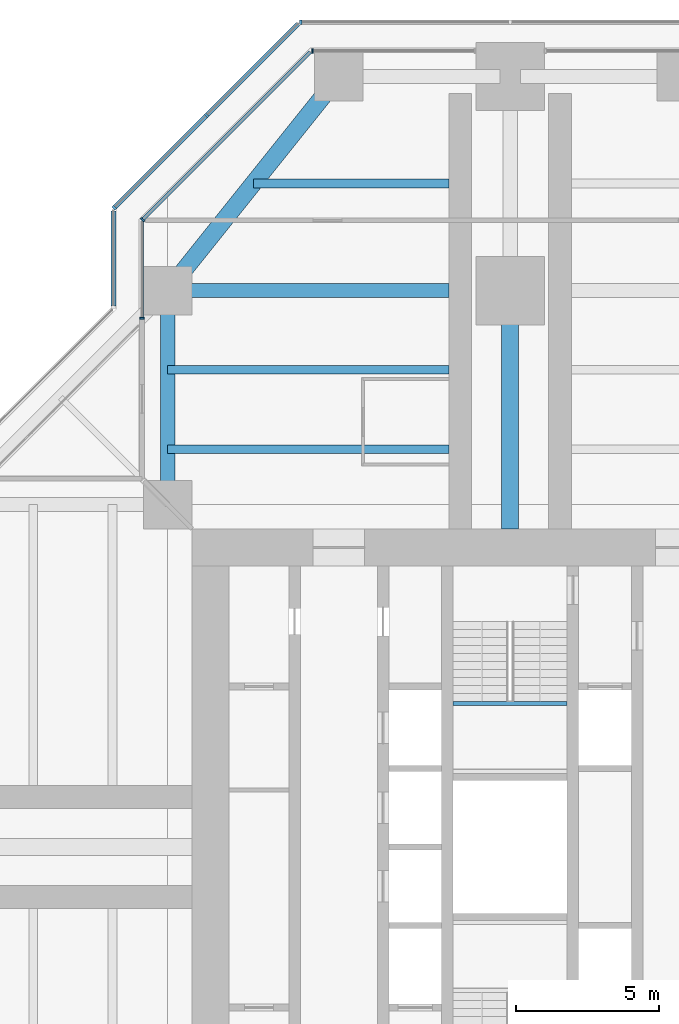
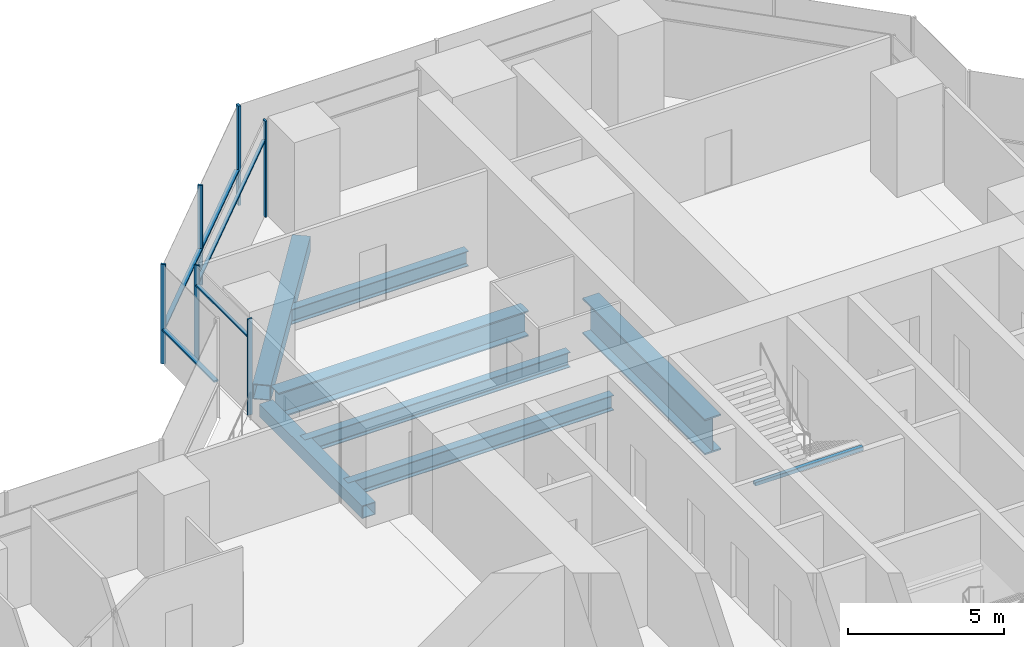
# One storey, part 8 of 19: 11 members, 8 beams, 6 elements without a shape of their own.
"""IFC4 building model written with IfcOpenShell, lengths in metres."""

from ifc_helpers import new_model, si_unit, direction, frame, origin, origin_2d, place, context, subcontext, project, spatial, rectangle, hollow_rectangle, i_section, extrude, material, material_profile, profile_set, type_object, element, aggregate, save


model = new_model("IFC4")

# Units and contexts
model_context = context("Model", 3, precision=1e-05, world=origin(), true_north=direction((0.0, 1.0)))
body_context = subcontext(model_context, "Body", "Model", "MODEL_VIEW")
ifc_project = project(units=[si_unit("LENGTHUNIT", "METRE"), si_unit("AREAUNIT", "SQUARE_METRE"), si_unit("VOLUMEUNIT", "CUBIC_METRE"), si_unit("PLANEANGLEUNIT", "RADIAN"), si_unit("MASSUNIT", "GRAM", prefix="KILO")], contexts=[model_context])

# Site, building, storey
site_placement = place(None, origin())
site = spatial("IfcSite", under=ifc_project, at=site_placement, CompositionType="ELEMENT")
building_placement = place(site_placement, origin())
building = spatial("IfcBuilding", under=site, at=building_placement, Name="Mizan Broadcast Tower", CompositionType="ELEMENT")
storey_placement = place(building_placement, frame((0.0, 0.0, 159.300048828125)))
storey = spatial("IfcBuildingStorey", under=building, at=storey_placement, Name="L36", CompositionType="ELEMENT", Elevation=159.300048828125)

# Beams
ifc_material_1 = material(Name="Steel S355", Category="steel")
ifc_material_profile_1 = material_profile(ifc_material_1, hollow_rectangle(XDim=0.5, YDim=0.5, WallThickness=0.030029296875, at=origin_2d()), Name="BOX 500x500x30")
ifc_profile_set_1 = profile_set([ifc_material_profile_1], Name="Steel S355")
beam_type_1 = type_object("IfcBeamType", Name="EDGE BEAM BOX 500x500x30", PredefinedType="SPANDREL", material=ifc_profile_set_1)
beam_1_placement = place(storey_placement, frame((-12.0, 12.449951171875, -0.380126953125), z_axis=(0.0, 1.0, 0.0), x_axis=(-1.0, 0.0, 0.0)))
element("IfcBeam", 1, at=beam_1_placement, inside=storey, type_object=beam_type_1, Name="Edge beam BOX 500x500x30 L36 north arm", PredefinedType="SPANDREL", context=body_context, shape_type="SweptSolid", body=[
    extrude(hollow_rectangle(XDim=0.5, YDim=0.5, WallThickness=0.030029296875, at=origin_2d()), origin(), (0.0, 0.0, 1.0), 6.60009765625),
])
ifc_material_2 = material(Name="Steel S355", Category="steel")
ifc_material_profile_2 = material_profile(ifc_material_2, hollow_rectangle(XDim=0.60009765625, YDim=0.60009765625, WallThickness=0.030029296875, at=origin_2d()), Name="BOX 600x600x30")
ifc_profile_set_2 = profile_set([ifc_material_profile_2], Name="Steel S355")
beam_type_2 = type_object("IfcBeamType", Name="EDGE BEAM BOX 600x600x30", PredefinedType="SPANDREL", material=ifc_profile_set_2)
beam_2_placement = place(storey_placement, frame((-11.639892578125, 19.949951171875, -0.429931640625), z_axis=(0.624673911726, 0.780885717636, 0.0), x_axis=(-0.780885717636, 0.624673911726, 0.0)))
element("IfcBeam", 2, at=beam_2_placement, inside=storey, type_object=beam_type_2, Name="Edge beam BOX 600x600x30 L36 north arm", PredefinedType="SPANDREL", context=body_context, shape_type="SweptSolid", body=[
    extrude(hollow_rectangle(XDim=0.60009765625, YDim=0.60009765625, WallThickness=0.030029296875, at=origin_2d()), origin(), (0.0, 0.0, 1.0), 8.4521484375),
])
ifc_material_3 = material(Name="Steel S460", Category="steel")
ifc_material_profile_3 = material_profile(ifc_material_3, i_section(OverallWidth=0.5, OverallDepth=1.0, WebThickness=0.02490234375, FlangeThickness=0.050048828125, at=origin_2d()), Name="WPG 1000x500")
ifc_profile_set_3 = profile_set([ifc_material_profile_3], Name="Steel S460")
beam_type_3 = type_object("IfcBeamType", Name="GIRDER WPG 1000x500", PredefinedType="BEAM", material=ifc_profile_set_3)
beam_3_placement = place(storey_placement, frame((-11.408935546875, 19.5, -0.630126953125), z_axis=(1.0, 0.0, 0.0), x_axis=(0.0, 1.0, 0.0)))
element("IfcBeam", 3, at=beam_3_placement, inside=storey, type_object=beam_type_3, Name="Girder WPG 1000x500 L36 north arm", PredefinedType="BEAM", context=body_context, shape_type="SweptSolid", body=[
    extrude(i_section(OverallWidth=0.5, OverallDepth=1.0, WebThickness=0.02490234375, FlangeThickness=0.050048828125, at=origin_2d()), origin(), (0.0, 0.0, 1.0), 9.259033203125),
])
ifc_material_4 = material(Name="Steel S460", Category="steel")
ifc_material_profile_4 = material_profile(ifc_material_4, i_section(OverallWidth=0.60009765625, OverallDepth=1.39990234375, WebThickness=0.02490234375, FlangeThickness=0.06005859375, at=origin_2d()), Name="WPG 1400x600")
ifc_profile_set_4 = profile_set([ifc_material_profile_4], Name="Steel S460")
beam_type_4 = type_object("IfcBeamType", Name="GIRDER WPG 1400x600", PredefinedType="BEAM", material=ifc_profile_set_4)
beam_4_placement = place(storey_placement, frame((0.0, 11.14990234375, -0.830078125), z_axis=(0.0, 1.0, 0.0), x_axis=(-1.0, 0.0, 0.0)))
element("IfcBeam", 4, at=beam_4_placement, inside=storey, type_object=beam_type_4, Name="Girder WPG 1400x600 L36 north arm", PredefinedType="BEAM", context=body_context, shape_type="SweptSolid", body=[
    extrude(i_section(OverallWidth=0.60009765625, OverallDepth=1.39990234375, WebThickness=0.02490234375, FlangeThickness=0.06005859375, at=origin_2d()), origin(), (0.0, 0.0, 1.0), 7.84912109375),
])

# Curtain wall, member
ifc_material_5 = material(Name="Aluminium framed glazing", Category="aluminium")
curtain_wall_type_1 = type_object("IfcCurtainWallType", Name="INNER SKIN MID ZONE", PredefinedType="USERDEFINED", material=ifc_material_5)
curtain_wall_1_placement = place(storey_placement, origin())
curtain_wall_1 = element("IfcCurtainWall", 5, at=curtain_wall_1_placement, inside=storey, type_object=curtain_wall_type_1, Name="Inner skin mid zone L36 N end", ObjectType="INNER SKIN MID ZONE", PredefinedType="USERDEFINED")
ifc_material_6 = material(Name="Aluminium, pale anodised", Category="aluminium")
ifc_material_profile_5 = material_profile(ifc_material_6, rectangle(XDim=0.159912109375, YDim=0.06005859375, at=origin_2d()), Name="MULLION 160x60")
ifc_profile_set_5 = profile_set([ifc_material_profile_5], Name="Aluminium, pale anodised")
member_type_1 = type_object("IfcMemberType", Name="INNER SKIN MULLION 60x160", PredefinedType="MULLION", material=ifc_profile_set_5)
member_1_placement = place(storey_placement, frame((-6.928466796875, 27.89990234375, 0.0), z_axis=(0.0, 0.0, 1.0), x_axis=(0.0, -1.0, 0.0)))
member_1 = element("IfcMember", 6, at=member_1_placement, type_object=member_type_1, Name="Inner skin mid zone L36 N end mullion 2", PredefinedType="MULLION", context=body_context, shape_type="SweptSolid", body=[
    extrude(rectangle(XDim=0.159912109375, YDim=0.06005859375, at=origin_2d()), origin(), (0.0, 0.0, 1.0), 3.77001953125),
])
aggregate(curtain_wall_1, [member_1])

curtain_wall_2_placement = place(storey_placement, origin())
curtain_wall_2 = element("IfcCurtainWall", 7, at=curtain_wall_2_placement, inside=storey, type_object=curtain_wall_type_1, Name="Inner skin mid zone L36 N chamfer", ObjectType="INNER SKIN MID ZONE", PredefinedType="USERDEFINED")
member_2_placement = place(storey_placement, frame((-12.87890625, 21.979736328125, 0.0), z_axis=(0.0, 0.0, 1.0), x_axis=(0.707106781187, -0.707106781187, 0.0)))
member_2 = element("IfcMember", 8, at=member_2_placement, type_object=member_type_1, Name="Inner skin mid zone L36 N chamfer mullion 2", PredefinedType="MULLION", context=body_context, shape_type="SweptSolid", body=[
    extrude(rectangle(XDim=0.159912109375, YDim=0.06005859375, at=origin_2d()), origin(), (0.0, 0.0, 1.0), 3.77001953125),
])

curtain_wall_3_placement = place(storey_placement, origin())
curtain_wall_3 = element("IfcCurtainWall", 9, at=curtain_wall_3_placement, inside=storey, type_object=curtain_wall_type_1, Name="Inner skin mid zone L36 N side", ObjectType="INNER SKIN MID ZONE", PredefinedType="USERDEFINED")
member_3_placement = place(storey_placement, frame((-12.89990234375, 18.530029296875, 0.0), z_axis=(0.0, 0.0, 1.0), x_axis=(1.0, 0.0, 0.0)))
member_3 = element("IfcMember", 10, at=member_3_placement, type_object=member_type_1, Name="Inner skin mid zone L36 N side mullion 2", PredefinedType="MULLION", context=body_context, shape_type="SweptSolid", body=[
    extrude(rectangle(XDim=0.159912109375, YDim=0.06005859375, at=origin_2d()), origin(), (0.0, 0.0, 1.0), 3.77001953125),
])

# Member
ifc_material_7 = material(Name="Aluminium, pale anodised", Category="aluminium")
ifc_material_profile_6 = material_profile(ifc_material_7, rectangle(XDim=0.1201171875, YDim=0.06005859375, at=origin_2d()), Name="TRANSOM 120x60")
ifc_profile_set_6 = profile_set([ifc_material_profile_6], Name="Aluminium, pale anodised")
member_type_2 = type_object("IfcMemberType", Name="INNER SKIN TRANSOM 60x120", PredefinedType="USERDEFINED", material=ifc_profile_set_6)
member_4_placement = place(storey_placement, frame((-7.0009765625, 27.857666015625, 3.030029296875), z_axis=(-0.707106781187, -0.707106781187, 0.0), x_axis=(0.707106781187, -0.707106781187, 0.0)))
member_4 = element("IfcMember", 11, at=member_4_placement, type_object=member_type_2, Name="Inner skin mid zone L36 N chamfer transom 1.1", ObjectType="TRANSOM", PredefinedType="USERDEFINED", context=body_context, shape_type="SweptSolid", body=[
    extrude(rectangle(XDim=0.1201171875, YDim=0.06005859375, at=origin_2d()), origin(), (0.0, 0.0, 1.0), 8.28271484375),
])

aggregate(curtain_wall_2, [member_2, member_4])

member_5_placement = place(storey_placement, frame((-12.89990234375, 21.898681640625, 3.030029296875), z_axis=(0.0, -1.0, 0.0), x_axis=(1.0, 0.0, 0.0)))
member_5 = element("IfcMember", 12, at=member_5_placement, type_object=member_type_2, Name="Inner skin mid zone L36 N side transom 1.1", ObjectType="TRANSOM", PredefinedType="USERDEFINED", context=body_context, shape_type="SweptSolid", body=[
    extrude(rectangle(XDim=0.1201171875, YDim=0.06005859375, at=origin_2d()), origin(), (0.0, 0.0, 1.0), 3.338623046875),
])

aggregate(curtain_wall_3, [member_3, member_5])

# Beam
ifc_material_8 = material(Name="Steel S355", Category="steel")
ifc_material_profile_7 = material_profile(ifc_material_8, hollow_rectangle(XDim=0.14990234375, YDim=0.14990234375, WallThickness=0.008056640625, InnerFilletRadius=0.008056640625, OuterFilletRadius=0.011962890625, at=origin_2d()), Name="SHS 150x150x8")
ifc_profile_set_7 = profile_set([ifc_material_profile_7], Name="Steel S355")
beam_type_5 = type_object("IfcBeamType", Name="LANDING TRIMMER SHS 150x150x8", PredefinedType="BEAM", material=ifc_profile_set_7)
beam_5_placement = place(storey_placement, frame((2.0, 5.02490234375, 1.675048828125), z_axis=(-1.0, 0.0, 0.0), x_axis=(0.0, -1.0, 0.0)))
element("IfcBeam", 13, at=beam_5_placement, inside=storey, type_object=beam_type_5, Name="Stair B landing trimmer L36", PredefinedType="BEAM", context=body_context, shape_type="SweptSolid", body=[
    extrude(hollow_rectangle(XDim=0.14990234375, YDim=0.14990234375, WallThickness=0.008056640625, InnerFilletRadius=0.008056640625, OuterFilletRadius=0.011962890625, at=origin_2d()), origin(), (0.0, 0.0, 1.0), 4.0),
])

# Curtain wall, member
ifc_material_9 = material(Name="Aluminium framed glazing", Category="aluminium")
curtain_wall_type_2 = type_object("IfcCurtainWallType", Name="OUTER SKIN", PredefinedType="USERDEFINED", material=ifc_material_9)
curtain_wall_4_placement = place(storey_placement, origin())
curtain_wall_4 = element("IfcCurtainWall", 14, at=curtain_wall_4_placement, inside=storey, type_object=curtain_wall_type_2, Name="Outer skin L36 N end", ObjectType="OUTER SKIN", PredefinedType="USERDEFINED")
ifc_material_10 = material(Name="Aluminium, pale anodised", Category="aluminium")
ifc_material_profile_8 = material_profile(ifc_material_10, rectangle(XDim=0.159912109375, YDim=0.080078125, at=origin_2d()), Name="MULLION 160x80")
ifc_profile_set_8 = profile_set([ifc_material_profile_8], Name="Aluminium, pale anodised")
member_type_3 = type_object("IfcMemberType", Name="OUTER SKIN MULLION 80x160", PredefinedType="MULLION", material=ifc_profile_set_8)
member_6_placement = place(storey_placement, frame((-7.332763671875, 28.89990234375, 0.0), z_axis=(0.0, 0.0, 1.0), x_axis=(0.0, -1.0, 0.0)))
member_6 = element("IfcMember", 15, at=member_6_placement, type_object=member_type_3, Name="Outer skin L36 N end mullion 3", PredefinedType="MULLION", context=body_context, shape_type="SweptSolid", body=[
    extrude(rectangle(XDim=0.159912109375, YDim=0.080078125, at=origin_2d()), origin(), (0.0, 0.0, 1.0), 3.89990234375),
])
aggregate(curtain_wall_4, [member_6])

# Curtain wall, members
curtain_wall_5_placement = place(storey_placement, origin())
curtain_wall_5 = element("IfcCurtainWall", 16, at=curtain_wall_5_placement, inside=storey, type_object=curtain_wall_type_2, Name="Outer skin L36 N chamfer", ObjectType="OUTER SKIN", PredefinedType="USERDEFINED")
member_7_placement = place(storey_placement, frame((-10.636474609375, 25.636474609375, 0.0), z_axis=(0.0, 0.0, 1.0), x_axis=(0.707106781187, -0.707106781187, 0.0)))
member_7 = element("IfcMember", 17, at=member_7_placement, type_object=member_type_3, Name="Outer skin L36 N chamfer mullion 2", PredefinedType="MULLION", context=body_context, shape_type="SweptSolid", body=[
    extrude(rectangle(XDim=0.159912109375, YDim=0.080078125, at=origin_2d()), origin(), (0.0, 0.0, 1.0), 3.89990234375),
])
member_8_placement = place(storey_placement, frame((-13.871826171875, 22.401123046875, 0.0), z_axis=(0.0, 0.0, 1.0), x_axis=(0.707106781187, -0.707106781187, 0.0)))
member_8 = element("IfcMember", 18, at=member_8_placement, type_object=member_type_3, Name="Outer skin L36 N chamfer mullion 3", PredefinedType="MULLION", context=body_context, shape_type="SweptSolid", body=[
    extrude(rectangle(XDim=0.159912109375, YDim=0.080078125, at=origin_2d()), origin(), (0.0, 0.0, 1.0), 3.89990234375),
])
ifc_material_11 = material(Name="Aluminium, pale anodised", Category="aluminium")
ifc_material_profile_9 = material_profile(ifc_material_11, rectangle(XDim=0.159912109375, YDim=0.06005859375, at=origin_2d()), Name="TRANSOM 160x60")
ifc_profile_set_9 = profile_set([ifc_material_profile_9], Name="Aluminium, pale anodised")
member_type_4 = type_object("IfcMemberType", Name="OUTER SKIN TRANSOM 60x160", PredefinedType="USERDEFINED", material=ifc_profile_set_9)
member_9_placement = place(storey_placement, frame((-7.429443359375, 28.843505859375, 1.39990234375), z_axis=(-0.707106781187, -0.707106781187, 0.0), x_axis=(0.707106781187, -0.707106781187, 0.0)))
member_9 = element("IfcMember", 19, at=member_9_placement, type_object=member_type_4, Name="Outer skin L36 N chamfer transom 1.1", ObjectType="TRANSOM", PredefinedType="USERDEFINED", context=body_context, shape_type="SweptSolid", body=[
    extrude(rectangle(XDim=0.159912109375, YDim=0.06005859375, at=origin_2d()), origin(), (0.0, 0.0, 1.0), 4.495361328125),
])
member_10_placement = place(storey_placement, frame((-10.664794921875, 25.608154296875, 1.39990234375), z_axis=(-0.707106781187, -0.707106781187, 0.0), x_axis=(0.707106781187, -0.707106781187, 0.0)))
member_10 = element("IfcMember", 20, at=member_10_placement, type_object=member_type_4, Name="Outer skin L36 N chamfer transom 2.1", ObjectType="TRANSOM", PredefinedType="USERDEFINED", context=body_context, shape_type="SweptSolid", body=[
    extrude(rectangle(XDim=0.159912109375, YDim=0.06005859375, at=origin_2d()), origin(), (0.0, 0.0, 1.0), 4.495361328125),
])
aggregate(curtain_wall_5, [member_7, member_8, member_9, member_10])

# Curtain wall, member
curtain_wall_6_placement = place(storey_placement, origin())
curtain_wall_6 = element("IfcCurtainWall", 21, at=curtain_wall_6_placement, inside=storey, type_object=curtain_wall_type_2, Name="Outer skin L36 N side", ObjectType="OUTER SKIN", PredefinedType="USERDEFINED")
member_11_placement = place(storey_placement, frame((-13.89990234375, 22.292724609375, 1.39990234375), z_axis=(0.0, -1.0, 0.0), x_axis=(1.0, 0.0, 0.0)))
member_11 = element("IfcMember", 22, at=member_11_placement, type_object=member_type_4, Name="Outer skin L36 N side transom 1.1", ObjectType="TRANSOM", PredefinedType="USERDEFINED", context=body_context, shape_type="SweptSolid", body=[
    extrude(rectangle(XDim=0.159912109375, YDim=0.06005859375, at=origin_2d()), origin(), (0.0, 0.0, 1.0), 3.33984375),
])
aggregate(curtain_wall_6, [member_11])

# Beams
ifc_material_12 = material(Name="Steel S355", Category="steel")
ifc_material_profile_10 = material_profile(ifc_material_12, i_section(OverallWidth=0.300048828125, OverallDepth=0.590087890625, WebThickness=0.012939453125, FlangeThickness=0.02490234375, FilletRadius=0.027099609375, at=origin_2d()), Name="HEA 600")
ifc_profile_set_10 = profile_set([ifc_material_profile_10], Name="Steel S355")
beam_type_6 = type_object("IfcBeamType", Name="SECONDARY BEAM HEA 600", PredefinedType="JOIST", material=ifc_profile_set_10)
for number, where, z_axis, x_axis, name in (
    (23, (-12.0, 13.933349609375, -0.425048828125), (1.0, 0.0, 0.0), (0.0, 1.0, 0.0), "Secondary beam HEA 600 L36 north arm"),
    (24, (-12.0, 16.716552734375, -0.425048828125), (1.0, 0.0, 0.0), (0.0, 1.0, 0.0), "Secondary beam HEA 600 L36 north arm"),
):
    element("IfcBeam", number, at=place(storey_placement, frame(where, z_axis=z_axis, x_axis=x_axis)), inside=storey, type_object=beam_type_6, Name=name, PredefinedType="JOIST", context=body_context, shape_type="SweptSolid", body=[
        extrude(i_section(OverallWidth=0.300048828125, OverallDepth=0.590087890625, WebThickness=0.012939453125, FlangeThickness=0.02490234375, FilletRadius=0.027099609375, at=origin_2d()), origin(), (0.0, 0.0, 1.0), 9.85009765625),
    ])
beam_6_placement = place(storey_placement, frame((-9.0, 23.25, -0.425048828125), z_axis=(1.0, 0.0, 0.0), x_axis=(0.0, 1.0, 0.0)))
element("IfcBeam", 25, at=beam_6_placement, inside=storey, type_object=beam_type_6, Name="Secondary beam HEA 600 L36 north arm", PredefinedType="JOIST", context=body_context, shape_type="SweptSolid", body=[
    extrude(i_section(OverallWidth=0.300048828125, OverallDepth=0.590087890625, WebThickness=0.012939453125, FlangeThickness=0.02490234375, FilletRadius=0.027099609375, at=origin_2d()), origin(), (0.0, 0.0, 1.0), 6.85009765625),
])

save(model, "model.ifc")
